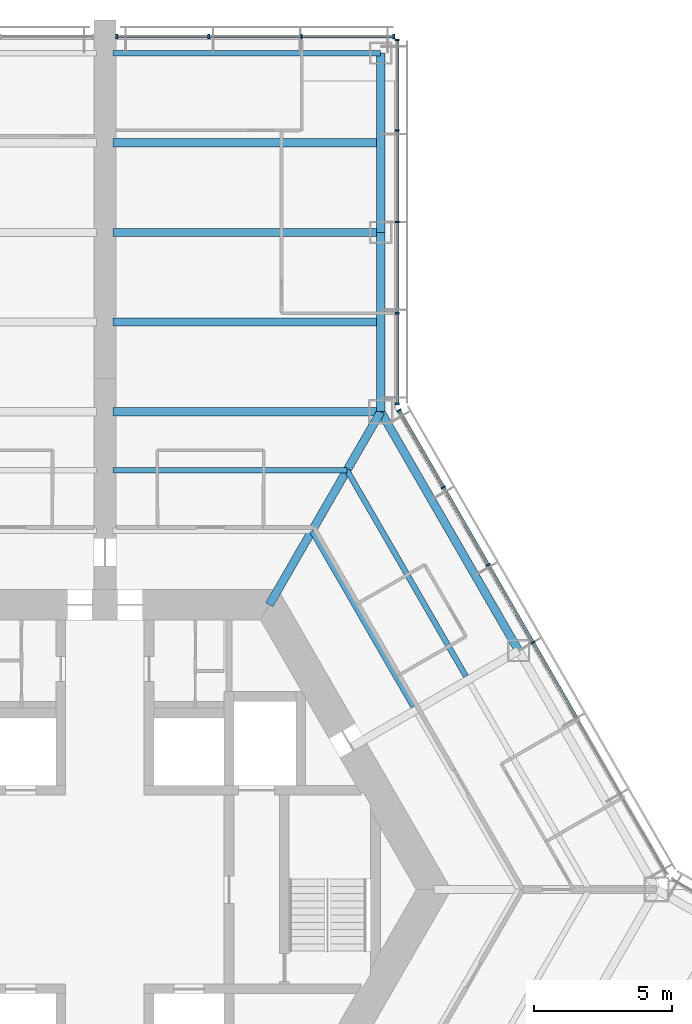
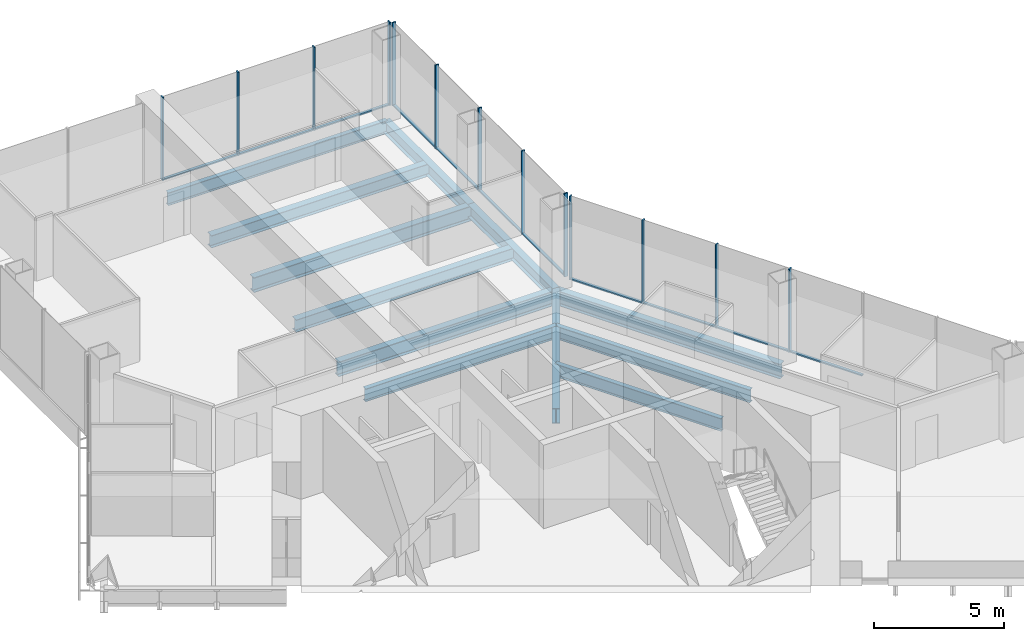
# One storey, part 8 of 18: 24 members, 12 beams, 3 elements without a shape of their own.
"""IFC4 building model written with IfcOpenShell, lengths in metres."""

from ifc_helpers import new_model, si_unit, direction, frame, origin, origin_2d, place, context, subcontext, project, spatial, rectangle, i_section, extrude, material, material_profile, profile_set, type_object, element, aggregate, save


model = new_model("IFC4")

# Units and contexts
model_context = context("Model", 3, precision=1e-05, world=origin(), true_north=direction((0.0, 1.0)))
body_context = subcontext(model_context, "Body", "Model", "MODEL_VIEW")
ifc_project = project(units=[si_unit("LENGTHUNIT", "METRE"), si_unit("AREAUNIT", "SQUARE_METRE"), si_unit("VOLUMEUNIT", "CUBIC_METRE"), si_unit("PLANEANGLEUNIT", "RADIAN"), si_unit("MASSUNIT", "GRAM", prefix="KILO")], contexts=[model_context])

# Site, building, storey
site_placement = place(None, origin())
site = spatial("IfcSite", under=ifc_project, at=site_placement, CompositionType="ELEMENT")
building_placement = place(site_placement, origin())
building = spatial("IfcBuilding", under=site, at=building_placement, Name="Kasaneha Research Tower", CompositionType="ELEMENT")
storey_placement = place(building_placement, frame((0.0, 0.0, 69.0)))
storey = spatial("IfcBuildingStorey", under=building, at=storey_placement, Name="L17", CompositionType="ELEMENT", Elevation=69.0)

# Beams
ifc_material_1 = material(Name="Steel SN490B", Category="steel")
ifc_material_profile_1 = material_profile(ifc_material_1, i_section(OverallWidth=0.199951171875, OverallDepth=0.60009765625, WebThickness=0.010986328125, FlangeThickness=0.01708984375, FilletRadius=0.012939453125, at=origin_2d()), Name="H-600x200x11x17")
ifc_profile_set_1 = profile_set([ifc_material_profile_1], Name="Steel SN490B")
beam_type_1 = type_object("IfcBeamType", Name="B1-3 secondary beam H-600x200x11x17", PredefinedType="JOIST", material=ifc_profile_set_1)
beam_1_placement = place(storey_placement, frame((7.505615234375, 13.0, -0.449951171875), z_axis=(0.499994443168, -0.866028611999, 0.0), x_axis=(0.866028611999, 0.499994443168, 0.0)))
element("IfcBeam", 1, at=beam_1_placement, inside=storey, type_object=beam_type_1, Name="Secondary beam RS030R1 L17", PredefinedType="JOIST", context=body_context, shape_type="SweptSolid", body=[
    extrude(i_section(OverallWidth=0.199951171875, OverallDepth=0.60009765625, WebThickness=0.010986328125, FlangeThickness=0.01708984375, FilletRadius=0.012939453125, at=origin_2d()), origin(), (0.0, 0.0, 1.0), 7.35546875),
])
beam_2_placement = place(storey_placement, frame((8.775634765625, 15.199951171875, -0.449951171875), z_axis=(0.500017275495, -0.866015429543, 0.0), x_axis=(0.866015429543, 0.500017275495, 0.0)))
element("IfcBeam", 2, at=beam_2_placement, inside=storey, type_object=beam_type_1, Name="Secondary beam RS030R2 L17", PredefinedType="JOIST", context=body_context, shape_type="SweptSolid", body=[
    extrude(i_section(OverallWidth=0.199951171875, OverallDepth=0.60009765625, WebThickness=0.010986328125, FlangeThickness=0.01708984375, FilletRadius=0.012939453125, at=origin_2d()), origin(), (0.0, 0.0, 1.0), 8.625732421875),
])
beam_3_placement = place(storey_placement, frame((8.775634765625, 15.199951171875, -0.449951171875), z_axis=(-1.0, 0.0, 0.0), x_axis=(0.0, -1.0, 0.0)))
element("IfcBeam", 3, at=beam_3_placement, inside=storey, type_object=beam_type_1, Name="Secondary beam RS090L2 L17", PredefinedType="JOIST", context=body_context, shape_type="SweptSolid", body=[
    extrude(i_section(OverallWidth=0.199951171875, OverallDepth=0.60009765625, WebThickness=0.010986328125, FlangeThickness=0.01708984375, FilletRadius=0.012939453125, at=origin_2d()), origin(), (0.0, 0.0, 1.0), 8.4755859375),
])
ifc_material_2 = material(Name="Steel SN490B", Category="steel")
ifc_material_profile_2 = material_profile(ifc_material_2, i_section(OverallWidth=0.300048828125, OverallDepth=0.58203125, WebThickness=0.011962890625, FlangeThickness=0.01708984375, FilletRadius=0.012939453125, at=origin_2d()), Name="H-582x300x12x17")
ifc_profile_set_2 = profile_set([ifc_material_profile_2], Name="Steel SN490B")
beam_type_2 = type_object("IfcBeamType", Name="B2-3 secondary beam H-582x300x12x17", PredefinedType="JOIST", material=ifc_profile_set_2)
for number, where, z_axis, x_axis, name in (
    (4, (10.0, 20.570556640625, -0.44091796875), (-1.0, 0.0, 0.0), (0.0, -1.0, 0.0), "Secondary beam WBAP1 L17"),
    (5, (10.0, 27.070556640625, -0.44091796875), (-1.0, 0.0, 0.0), (0.0, -1.0, 0.0), "Secondary beam WBAP2 L17"),
):
    element("IfcBeam", number, at=place(storey_placement, frame(where, z_axis=z_axis, x_axis=x_axis)), inside=storey, type_object=beam_type_2, Name=name, PredefinedType="JOIST", context=body_context, shape_type="SweptSolid", body=[
        extrude(i_section(OverallWidth=0.300048828125, OverallDepth=0.58203125, WebThickness=0.011962890625, FlangeThickness=0.01708984375, FilletRadius=0.012939453125, at=origin_2d()), origin(), (0.0, 0.0, 1.0), 9.699951171875),
    ])

# Curtain wall, members
ifc_material_3 = material(Name="Glass and aluminium", Category="aluminium")
curtain_wall_type = type_object("IfcCurtainWallType", Name="Low-rise office curtain wall", PredefinedType="USERDEFINED", material=ifc_material_3)
curtain_wall_1_placement = place(storey_placement, origin())
curtain_wall_1 = element("IfcCurtainWall", 6, at=curtain_wall_1_placement, inside=storey, type_object=curtain_wall_type, Name="CW-O1 L17 run 07a", ObjectType="UNITISED CURTAIN WALL", PredefinedType="USERDEFINED")
ifc_material_4 = material(Name="Aluminium 6063-T6", Category="aluminium")
ifc_material_profile_3 = material_profile(ifc_material_4, rectangle(XDim=0.06005859375, YDim=0.159912109375, at=origin_2d()), Name="CW-O1 mullion 60x160")
ifc_profile_set_3 = profile_set([ifc_material_profile_3], Name="Aluminium 6063-T6")
member_type_1 = type_object("IfcMemberType", Name="CW-O1 mullion", PredefinedType="MULLION", material=ifc_profile_set_3)
member_1_placement = place(storey_placement, frame((15.51953125, 8.960205078125, 0.0), z_axis=(0.0, 0.0, 1.0), x_axis=(-0.49999996188, 0.866025425793, 0.0)))
member_1 = element("IfcMember", 7, at=member_1_placement, type_object=member_type_1, Name="CW-O1 mullion 4", PredefinedType="MULLION", context=body_context, shape_type="SweptSolid", body=[
    extrude(rectangle(XDim=0.06005859375, YDim=0.159912109375, at=origin_2d()), origin(), (0.0, 0.0, 1.0), 3.89990234375),
])
member_2_placement = place(storey_placement, frame((13.896484375, 11.771728515625, 0.0), z_axis=(0.0, 0.0, 1.0), x_axis=(-0.49999996188, 0.866025425793, 0.0)))
member_2 = element("IfcMember", 8, at=member_2_placement, type_object=member_type_1, Name="CW-O1 mullion 5", PredefinedType="MULLION", context=body_context, shape_type="SweptSolid", body=[
    extrude(rectangle(XDim=0.06005859375, YDim=0.159912109375, at=origin_2d()), origin(), (0.0, 0.0, 1.0), 3.89990234375),
])
member_3_placement = place(storey_placement, frame((12.273193359375, 14.583251953125, 0.0), z_axis=(0.0, 0.0, 1.0), x_axis=(-0.49999996188, 0.866025425793, 0.0)))
member_3 = element("IfcMember", 9, at=member_3_placement, type_object=member_type_1, Name="CW-O1 mullion 6", PredefinedType="MULLION", context=body_context, shape_type="SweptSolid", body=[
    extrude(rectangle(XDim=0.06005859375, YDim=0.159912109375, at=origin_2d()), origin(), (0.0, 0.0, 1.0), 3.89990234375),
])
member_4_placement = place(storey_placement, frame((10.6650390625, 17.36865234375, 0.0), z_axis=(0.0, 0.0, 1.0), x_axis=(-0.49999996188, 0.866025425793, 0.0)))
member_4 = element("IfcMember", 10, at=member_4_placement, type_object=member_type_1, Name="CW-O1 mullion 7", PredefinedType="MULLION", context=body_context, shape_type="SweptSolid", body=[
    extrude(rectangle(XDim=0.06005859375, YDim=0.159912109375, at=origin_2d()), origin(), (0.0, 0.0, 1.0), 3.89990234375),
])

curtain_wall_2_placement = place(storey_placement, origin())
curtain_wall_2 = element("IfcCurtainWall", 11, at=curtain_wall_2_placement, inside=storey, type_object=curtain_wall_type, Name="CW-O1 L17 run 08a", ObjectType="UNITISED CURTAIN WALL", PredefinedType="USERDEFINED")
member_5_placement = place(storey_placement, frame((10.60009765625, 17.611328125, 0.0), z_axis=(0.0, 0.0, 1.0), x_axis=(0.0, 1.0, 0.0)))
member_5 = element("IfcMember", 12, at=member_5_placement, type_object=member_type_1, Name="CW-O1 mullion 1", PredefinedType="MULLION", context=body_context, shape_type="SweptSolid", body=[
    extrude(rectangle(XDim=0.06005859375, YDim=0.159912109375, at=origin_2d()), origin(), (0.0, 0.0, 1.0), 3.89990234375),
])
member_6_placement = place(storey_placement, frame((10.60009765625, 20.89111328125, 0.0), z_axis=(0.0, 0.0, 1.0), x_axis=(0.0, 1.0, 0.0)))
member_6 = element("IfcMember", 13, at=member_6_placement, type_object=member_type_1, Name="CW-O1 mullion 2", PredefinedType="MULLION", context=body_context, shape_type="SweptSolid", body=[
    extrude(rectangle(XDim=0.06005859375, YDim=0.159912109375, at=origin_2d()), origin(), (0.0, 0.0, 1.0), 3.89990234375),
])
member_7_placement = place(storey_placement, frame((10.60009765625, 24.200927734375, 0.0), z_axis=(0.0, 0.0, 1.0), x_axis=(0.0, 1.0, 0.0)))
member_7 = element("IfcMember", 14, at=member_7_placement, type_object=member_type_1, Name="CW-O1 mullion 3", PredefinedType="MULLION", context=body_context, shape_type="SweptSolid", body=[
    extrude(rectangle(XDim=0.06005859375, YDim=0.159912109375, at=origin_2d()), origin(), (0.0, 0.0, 1.0), 3.89990234375),
])
member_8_placement = place(storey_placement, frame((10.60009765625, 27.5107421875, 0.0), z_axis=(0.0, 0.0, 1.0), x_axis=(0.0, 1.0, 0.0)))
member_8 = element("IfcMember", 15, at=member_8_placement, type_object=member_type_1, Name="CW-O1 mullion 4", PredefinedType="MULLION", context=body_context, shape_type="SweptSolid", body=[
    extrude(rectangle(XDim=0.06005859375, YDim=0.159912109375, at=origin_2d()), origin(), (0.0, 0.0, 1.0), 3.89990234375),
])
member_9_placement = place(storey_placement, frame((10.60009765625, 30.79052734375, 0.0), z_axis=(0.0, 0.0, 1.0), x_axis=(0.0, 1.0, 0.0)))
member_9 = element("IfcMember", 16, at=member_9_placement, type_object=member_type_1, Name="CW-O1 mullion 5", PredefinedType="MULLION", context=body_context, shape_type="SweptSolid", body=[
    extrude(rectangle(XDim=0.06005859375, YDim=0.159912109375, at=origin_2d()), origin(), (0.0, 0.0, 1.0), 3.89990234375),
])

curtain_wall_3_placement = place(storey_placement, origin())
curtain_wall_3 = element("IfcCurtainWall", 17, at=curtain_wall_3_placement, inside=storey, type_object=curtain_wall_type, Name="CW-O1 L17 run 09a", ObjectType="UNITISED CURTAIN WALL", PredefinedType="USERDEFINED")
member_10_placement = place(storey_placement, frame((10.469970703125, 30.92041015625, 0.0), z_axis=(0.0, 0.0, 1.0), x_axis=(-1.0, 0.0, 0.0)))
member_10 = element("IfcMember", 18, at=member_10_placement, type_object=member_type_1, Name="CW-O1 mullion 1", PredefinedType="MULLION", context=body_context, shape_type="SweptSolid", body=[
    extrude(rectangle(XDim=0.06005859375, YDim=0.159912109375, at=origin_2d()), origin(), (0.0, 0.0, 1.0), 3.89990234375),
])
member_11_placement = place(storey_placement, frame((7.13330078125, 30.92041015625, 0.0), z_axis=(0.0, 0.0, 1.0), x_axis=(-1.0, 0.0, 0.0)))
member_11 = element("IfcMember", 19, at=member_11_placement, type_object=member_type_1, Name="CW-O1 mullion 2", PredefinedType="MULLION", context=body_context, shape_type="SweptSolid", body=[
    extrude(rectangle(XDim=0.06005859375, YDim=0.159912109375, at=origin_2d()), origin(), (0.0, 0.0, 1.0), 3.89990234375),
])
member_12_placement = place(storey_placement, frame((3.7666015625, 30.92041015625, 0.0), z_axis=(0.0, 0.0, 1.0), x_axis=(-1.0, 0.0, 0.0)))
member_12 = element("IfcMember", 20, at=member_12_placement, type_object=member_type_1, Name="CW-O1 mullion 3", PredefinedType="MULLION", context=body_context, shape_type="SweptSolid", body=[
    extrude(rectangle(XDim=0.06005859375, YDim=0.159912109375, at=origin_2d()), origin(), (0.0, 0.0, 1.0), 3.89990234375),
])
member_13_placement = place(storey_placement, frame((0.429931640625, 30.92041015625, 0.0), z_axis=(0.0, 0.0, 1.0), x_axis=(-1.0, 0.0, 0.0)))
member_13 = element("IfcMember", 21, at=member_13_placement, type_object=member_type_1, Name="CW-O1 mullion 4", PredefinedType="MULLION", context=body_context, shape_type="SweptSolid", body=[
    extrude(rectangle(XDim=0.06005859375, YDim=0.159912109375, at=origin_2d()), origin(), (0.0, 0.0, 1.0), 3.89990234375),
])

# Member
ifc_material_5 = material(Name="Aluminium 6063-T6", Category="aluminium")
ifc_material_profile_4 = material_profile(ifc_material_5, rectangle(XDim=0.1201171875, YDim=0.06005859375, at=origin_2d()), Name="CW-O1 transom 120x60")
ifc_profile_set_4 = profile_set([ifc_material_profile_4], Name="Aluminium 6063-T6")
member_type_2 = type_object("IfcMemberType", Name="CW-O1 transom", PredefinedType="USERDEFINED", material=ifc_profile_set_4)
member_14_placement = place(storey_placement, frame((17.1279296875, 6.1748046875, 0.030029296875), z_axis=(-0.500012062035, 0.866018439653, 0.0), x_axis=(-0.866018439653, -0.500012062035, 0.0)))
member_14 = element("IfcMember", 22, at=member_14_placement, type_object=member_type_2, Name="CW-O1 transom 3", ObjectType="TRANSOM", PredefinedType="USERDEFINED", context=body_context, shape_type="SweptSolid", body=[
    extrude(rectangle(XDim=0.1201171875, YDim=0.06005859375, at=origin_2d()), origin(), (0.0, 0.0, 1.0), 3.1865234375),
])

member_15_placement = place(storey_placement, frame((15.504638671875, 8.986328125, 0.030029296875), z_axis=(-0.500012062035, 0.866018439653, 0.0), x_axis=(-0.866018439653, -0.500012062035, 0.0)))
member_15 = element("IfcMember", 23, at=member_15_placement, type_object=member_type_2, Name="CW-O1 transom 4", ObjectType="TRANSOM", PredefinedType="USERDEFINED", context=body_context, shape_type="SweptSolid", body=[
    extrude(rectangle(XDim=0.1201171875, YDim=0.06005859375, at=origin_2d()), origin(), (0.0, 0.0, 1.0), 3.1865234375),
])

member_16_placement = place(storey_placement, frame((13.88134765625, 11.797607421875, 0.030029296875), z_axis=(-0.500012062035, 0.866018439653, 0.0), x_axis=(-0.866018439653, -0.500012062035, 0.0)))
member_16 = element("IfcMember", 24, at=member_16_placement, type_object=member_type_2, Name="CW-O1 transom 5", ObjectType="TRANSOM", PredefinedType="USERDEFINED", context=body_context, shape_type="SweptSolid", body=[
    extrude(rectangle(XDim=0.1201171875, YDim=0.06005859375, at=origin_2d()), origin(), (0.0, 0.0, 1.0), 3.1865234375),
])

member_17_placement = place(storey_placement, frame((12.25830078125, 14.609130859375, 0.030029296875), z_axis=(-0.500023726918, 0.866011704609, 0.0), x_axis=(-0.866011704609, -0.500023726918, 0.0)))
member_17 = element("IfcMember", 25, at=member_17_placement, type_object=member_type_2, Name="CW-O1 transom 6", ObjectType="TRANSOM", PredefinedType="USERDEFINED", context=body_context, shape_type="SweptSolid", body=[
    extrude(rectangle(XDim=0.1201171875, YDim=0.06005859375, at=origin_2d()), origin(), (0.0, 0.0, 1.0), 3.156494140625),
])

aggregate(curtain_wall_1, [member_1, member_2, member_3, member_4, member_14, member_15, member_16, member_17])

member_18_placement = place(storey_placement, frame((10.60009765625, 17.641357421875, 0.030029296875), z_axis=(0.0, 1.0, 0.0), x_axis=(-1.0, 0.0, 0.0)))
member_18 = element("IfcMember", 26, at=member_18_placement, type_object=member_type_2, Name="CW-O1 transom 1", ObjectType="TRANSOM", PredefinedType="USERDEFINED", context=body_context, shape_type="SweptSolid", body=[
    extrude(rectangle(XDim=0.1201171875, YDim=0.06005859375, at=origin_2d()), origin(), (0.0, 0.0, 1.0), 3.2197265625),
])

member_19_placement = place(storey_placement, frame((10.60009765625, 20.921142578125, 0.030029296875), z_axis=(0.0, 1.0, 0.0), x_axis=(-1.0, 0.0, 0.0)))
member_19 = element("IfcMember", 27, at=member_19_placement, type_object=member_type_2, Name="CW-O1 transom 2", ObjectType="TRANSOM", PredefinedType="USERDEFINED", context=body_context, shape_type="SweptSolid", body=[
    extrude(rectangle(XDim=0.1201171875, YDim=0.06005859375, at=origin_2d()), origin(), (0.0, 0.0, 1.0), 3.249755859375),
])

member_20_placement = place(storey_placement, frame((10.60009765625, 24.23095703125, 0.030029296875), z_axis=(0.0, 1.0, 0.0), x_axis=(-1.0, 0.0, 0.0)))
member_20 = element("IfcMember", 28, at=member_20_placement, type_object=member_type_2, Name="CW-O1 transom 3", ObjectType="TRANSOM", PredefinedType="USERDEFINED", context=body_context, shape_type="SweptSolid", body=[
    extrude(rectangle(XDim=0.1201171875, YDim=0.06005859375, at=origin_2d()), origin(), (0.0, 0.0, 1.0), 3.249755859375),
])

member_21_placement = place(storey_placement, frame((10.60009765625, 27.540771484375, 0.030029296875), z_axis=(0.0, 1.0, 0.0), x_axis=(-1.0, 0.0, 0.0)))
member_21 = element("IfcMember", 29, at=member_21_placement, type_object=member_type_2, Name="CW-O1 transom 4", ObjectType="TRANSOM", PredefinedType="USERDEFINED", context=body_context, shape_type="SweptSolid", body=[
    extrude(rectangle(XDim=0.1201171875, YDim=0.06005859375, at=origin_2d()), origin(), (0.0, 0.0, 1.0), 3.2197265625),
])

aggregate(curtain_wall_2, [member_5, member_6, member_7, member_8, member_9, member_18, member_19, member_20, member_21])

member_22_placement = place(storey_placement, frame((10.43994140625, 30.92041015625, 0.030029296875), z_axis=(-1.0, 0.0, 0.0), x_axis=(0.0, -1.0, 0.0)))
member_22 = element("IfcMember", 30, at=member_22_placement, type_object=member_type_2, Name="CW-O1 transom 1", ObjectType="TRANSOM", PredefinedType="USERDEFINED", context=body_context, shape_type="SweptSolid", body=[
    extrude(rectangle(XDim=0.1201171875, YDim=0.06005859375, at=origin_2d()), origin(), (0.0, 0.0, 1.0), 3.276611328125),
])

member_23_placement = place(storey_placement, frame((7.103271484375, 30.92041015625, 0.030029296875), z_axis=(-1.0, 0.0, 0.0), x_axis=(0.0, -1.0, 0.0)))
member_23 = element("IfcMember", 31, at=member_23_placement, type_object=member_type_2, Name="CW-O1 transom 2", ObjectType="TRANSOM", PredefinedType="USERDEFINED", context=body_context, shape_type="SweptSolid", body=[
    extrude(rectangle(XDim=0.1201171875, YDim=0.06005859375, at=origin_2d()), origin(), (0.0, 0.0, 1.0), 3.306640625),
])

member_24_placement = place(storey_placement, frame((3.736572265625, 30.92041015625, 0.030029296875), z_axis=(-1.0, 0.0, 0.0), x_axis=(0.0, -1.0, 0.0)))
member_24 = element("IfcMember", 32, at=member_24_placement, type_object=member_type_2, Name="CW-O1 transom 3", ObjectType="TRANSOM", PredefinedType="USERDEFINED", context=body_context, shape_type="SweptSolid", body=[
    extrude(rectangle(XDim=0.1201171875, YDim=0.06005859375, at=origin_2d()), origin(), (0.0, 0.0, 1.0), 3.276611328125),
])

aggregate(curtain_wall_3, [member_10, member_11, member_12, member_13, member_22, member_23, member_24])

# Beams
ifc_material_6 = material(Name="Steel SN490B", Category="steel")
ifc_material_profile_5 = material_profile(ifc_material_6, i_section(OverallWidth=0.300048828125, OverallDepth=0.699951171875, WebThickness=0.012939453125, FlangeThickness=0.02392578125, FilletRadius=0.01806640625, at=origin_2d()), Name="H-700x300x13x24")
ifc_profile_set_5 = profile_set([ifc_material_profile_5], Name="Steel SN490B")
beam_type_3 = type_object("IfcBeamType", Name="G1-3 radial girder H-700x300x13x24", PredefinedType="BEAM", material=ifc_profile_set_5)
beam_4_placement = place(storey_placement, frame((5.961181640625, 10.324951171875, -0.5), z_axis=(0.49999105496, 0.866030568144, 0.0), x_axis=(-0.866030568144, 0.49999105496, 0.0)))
element("IfcBeam", 33, at=beam_4_placement, inside=storey, type_object=beam_type_3, Name="Radial girder RV060 L17", PredefinedType="BEAM", context=body_context, shape_type="SweptSolid", body=[
    extrude(i_section(OverallWidth=0.300048828125, OverallDepth=0.699951171875, WebThickness=0.012939453125, FlangeThickness=0.02392578125, FilletRadius=0.01806640625, at=origin_2d()), origin(), (0.0, 0.0, 1.0), 8.077880859375),
])
ifc_material_7 = material(Name="Steel SN490B", Category="steel")
ifc_material_profile_6 = material_profile(ifc_material_7, i_section(OverallWidth=0.300048828125, OverallDepth=0.69189453125, WebThickness=0.012939453125, FlangeThickness=0.02001953125, FilletRadius=0.01806640625, at=origin_2d()), Name="H-692x300x13x20")
ifc_profile_set_6 = profile_set([ifc_material_profile_6], Name="Steel SN490B")
beam_type_4 = type_object("IfcBeamType", Name="G3-3 plate edge girder H-692x300x13x20", PredefinedType="BEAM", material=ifc_profile_set_6)
beam_5_placement = place(storey_placement, frame((10.0, 17.320556640625, -0.49609375), z_axis=(-1.0, 0.0, 0.0), x_axis=(0.0, -1.0, 0.0)))
element("IfcBeam", 34, at=beam_5_placement, inside=storey, type_object=beam_type_4, Name="Plate edge girder PEAP L17", PredefinedType="BEAM", context=body_context, shape_type="SweptSolid", body=[
    extrude(i_section(OverallWidth=0.300048828125, OverallDepth=0.69189453125, WebThickness=0.012939453125, FlangeThickness=0.02001953125, FilletRadius=0.01806640625, at=origin_2d()), origin(), (0.0, 0.0, 1.0), 9.699951171875),
])
ifc_material_8 = material(Name="Steel SN490B", Category="steel")
ifc_material_profile_7 = material_profile(ifc_material_8, i_section(OverallWidth=0.300048828125, OverallDepth=0.699951171875, WebThickness=0.012939453125, FlangeThickness=0.02392578125, FilletRadius=0.01806640625, at=origin_2d()), Name="H-700x300x13x24")
ifc_profile_set_7 = profile_set([ifc_material_profile_7], Name="Steel SN490B")
beam_type_5 = type_object("IfcBeamType", Name="G4-3 wing girder H-700x300x13x24", PredefinedType="BEAM", material=ifc_profile_set_7)
beam_6_placement = place(storey_placement, frame((10.0, 23.820556640625, -0.5), z_axis=(-1.0, 0.0, 0.0), x_axis=(0.0, -1.0, 0.0)))
element("IfcBeam", 35, at=beam_6_placement, inside=storey, type_object=beam_type_5, Name="Wing girder WGAP L17", PredefinedType="BEAM", context=body_context, shape_type="SweptSolid", body=[
    extrude(i_section(OverallWidth=0.300048828125, OverallDepth=0.699951171875, WebThickness=0.012939453125, FlangeThickness=0.02392578125, FilletRadius=0.01806640625, at=origin_2d()), origin(), (0.0, 0.0, 1.0), 9.699951171875),
])
ifc_material_9 = material(Name="Steel SN490B", Category="steel")
ifc_material_profile_8 = material_profile(ifc_material_9, i_section(OverallWidth=0.300048828125, OverallDepth=0.69189453125, WebThickness=0.012939453125, FlangeThickness=0.02001953125, FilletRadius=0.01806640625, at=origin_2d()), Name="H-692x300x13x20")
ifc_profile_set_8 = profile_set([ifc_material_profile_8], Name="Steel SN490B")
beam_type_6 = type_object("IfcBeamType", Name="SB1-3 spandrel beam H-692x300x13x20", PredefinedType="SPANDREL", material=ifc_profile_set_8)
beam_7_placement = place(storey_placement, frame((10.0, 17.320556640625, -0.49609375), z_axis=(0.499993662806, -0.866029062534, 0.0), x_axis=(0.866029062534, 0.499993662806, 0.0)))
element("IfcBeam", 36, at=beam_7_placement, inside=storey, type_object=beam_type_6, Name="Spandrel beam SR030R L17", PredefinedType="SPANDREL", context=body_context, shape_type="SweptSolid", body=[
    extrude(i_section(OverallWidth=0.300048828125, OverallDepth=0.69189453125, WebThickness=0.012939453125, FlangeThickness=0.02001953125, FilletRadius=0.01806640625, at=origin_2d()), origin(), (0.0, 0.0, 1.0), 10.000244140625),
])
ifc_material_10 = material(Name="Steel SN490B", Category="steel")
ifc_material_profile_9 = material_profile(ifc_material_10, i_section(OverallWidth=0.300048828125, OverallDepth=0.58203125, WebThickness=0.011962890625, FlangeThickness=0.01708984375, FilletRadius=0.012939453125, at=origin_2d()), Name="H-582x300x12x17")
ifc_profile_set_9 = profile_set([ifc_material_profile_9], Name="Steel SN490B")
beam_type_7 = type_object("IfcBeamType", Name="SB2-3 spandrel beam H-582x300x12x17", PredefinedType="SPANDREL", material=ifc_profile_set_9)
for number, where, z_axis, x_axis, name in (
    (37, (10.0, 17.320556640625, -0.44091796875), (0.0, 1.0, 0.0), (-1.0, 0.0, 0.0), "Spandrel beam WSAP1 L17"),
    (38, (10.0, 23.820556640625, -0.44091796875), (0.0, 1.0, 0.0), (-1.0, 0.0, 0.0), "Spandrel beam WSAP2 L17"),
):
    element("IfcBeam", number, at=place(storey_placement, frame(where, z_axis=z_axis, x_axis=x_axis)), inside=storey, type_object=beam_type_7, Name=name, PredefinedType="SPANDREL", context=body_context, shape_type="SweptSolid", body=[
        extrude(i_section(OverallWidth=0.300048828125, OverallDepth=0.58203125, WebThickness=0.011962890625, FlangeThickness=0.01708984375, FilletRadius=0.012939453125, at=origin_2d()), origin(), (0.0, 0.0, 1.0), 6.5),
    ])
ifc_material_11 = material(Name="Steel SN490B", Category="steel")
ifc_material_profile_10 = material_profile(ifc_material_11, i_section(OverallWidth=0.199951171875, OverallDepth=0.60009765625, WebThickness=0.010986328125, FlangeThickness=0.01708984375, FilletRadius=0.012939453125, at=origin_2d()), Name="H-600x200x11x17")
ifc_profile_set_10 = profile_set([ifc_material_profile_10], Name="Steel SN490B")
beam_type_8 = type_object("IfcBeamType", Name="SB3-3 spandrel beam H-600x200x11x17", PredefinedType="SPANDREL", material=ifc_profile_set_10)
beam_8_placement = place(storey_placement, frame((10.0, 30.320556640625, -0.449951171875), z_axis=(-1.0, 0.0, 0.0), x_axis=(0.0, -1.0, 0.0)))
element("IfcBeam", 39, at=beam_8_placement, inside=storey, type_object=beam_type_8, Name="Spandrel beam WTAP L17", PredefinedType="SPANDREL", context=body_context, shape_type="SweptSolid", body=[
    extrude(i_section(OverallWidth=0.199951171875, OverallDepth=0.60009765625, WebThickness=0.010986328125, FlangeThickness=0.01708984375, FilletRadius=0.012939453125, at=origin_2d()), origin(), (0.0, 0.0, 1.0), 9.699951171875),
])

save(model, "model.ifc")
